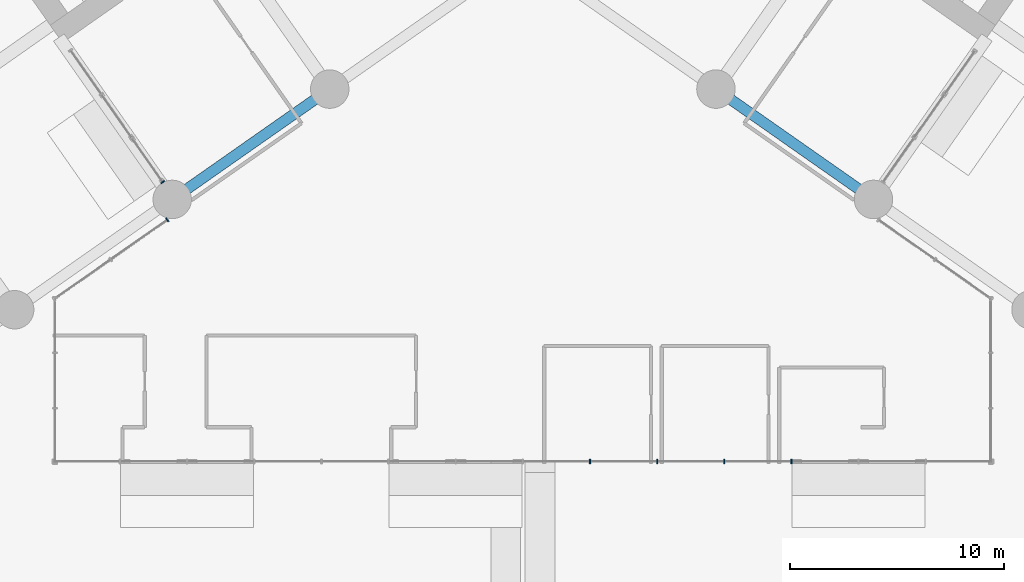
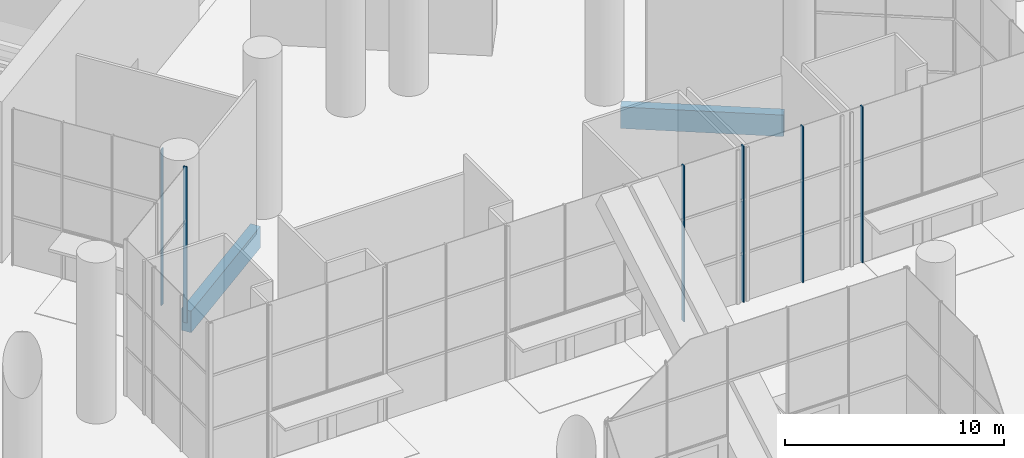
# One storey, part 7 of 37: 6 members, 2 beams, 3 elements without a shape of their own.
"""IFC4 building model written with IfcOpenShell, lengths in metres."""

from ifc_helpers import new_model, si_unit, direction, frame, origin, origin_2d, place, context, subcontext, project, spatial, rectangle, extrude, material, material_profile, profile_set, type_object, element, aggregate, save


model = new_model("IFC4")

# Units and contexts
model_context = context("Model", 3, precision=1e-05, world=origin(), true_north=direction((0.0, 1.0)))
body_context = subcontext(model_context, "Body", "Model", "MODEL_VIEW")
ifc_project = project(units=[si_unit("LENGTHUNIT", "METRE"), si_unit("AREAUNIT", "SQUARE_METRE"), si_unit("VOLUMEUNIT", "CUBIC_METRE"), si_unit("PLANEANGLEUNIT", "RADIAN"), si_unit("MASSUNIT", "GRAM", prefix="KILO")], contexts=[model_context])

# Site, building, storey
site_placement = place(None, origin())
site = spatial("IfcSite", under=ifc_project, at=site_placement, CompositionType="ELEMENT")
building_placement = place(site_placement, origin())
building = spatial("IfcBuilding", under=site, at=building_placement, Name="Tel Ilan Convention Tower", CompositionType="ELEMENT")
storey_placement = place(building_placement, origin())
storey = spatial("IfcBuildingStorey", under=building, at=storey_placement, Name="L00", CompositionType="ELEMENT", Elevation=0.0)

# Beams
ifc_material_1 = material(Name="Concrete C40/50", Category="concrete")
ifc_material_profile_1 = material_profile(ifc_material_1, rectangle(XDim=0.5, YDim=1.199951171875, at=origin_2d()), Name="RC 500x1200")
ifc_profile_set_1 = profile_set([ifc_material_profile_1], Name="Concrete C40/50")
beam_type = type_object("IfcBeamType", Name="Beam RC 500x1200 Concrete C40/50", PredefinedType="BEAM", material=ifc_profile_set_1)
for number, where, z_axis, x_axis, name in (
    (1, (-9.652099609375, -18.905029296875, -1.050048828125), (-0.81915238829, -0.573575945067, 0.0), (0.573575945067, -0.81915238829, 0.0), "L00 beam W-W-F2-W-F3"),
    (2, (9.652099609375, -18.905029296875, -1.050048828125), (0.81915238829, -0.573575945067, 0.0), (0.573575945067, 0.81915238829, 0.0), "L00 beam E-E-F2-E-F3"),
):
    element("IfcBeam", number, at=place(storey_placement, frame(where, z_axis=z_axis, x_axis=x_axis)), inside=storey, type_object=beam_type, Name=name, PredefinedType="BEAM", context=body_context, shape_type="SweptSolid", body=[
        extrude(rectangle(XDim=0.5, YDim=1.199951171875, at=origin_2d()), origin(), (0.0, 0.0, 1.0), 7.5),
    ])

# Curtain wall, member
ifc_material_2 = material(Name="Aluminium, bronze anodised", Category="aluminium")
curtain_wall_type = type_object("IfcCurtainWallType", Name="CW6 LOBBY PAVILION CURTAIN WALL, CLEAR GLASS", PredefinedType="NOTDEFINED", material=ifc_material_2)
curtain_wall_1_placement = place(storey_placement, origin())
curtain_wall_1 = element("IfcCurtainWall", 3, at=curtain_wall_1_placement, inside=storey, type_object=curtain_wall_type, Name="Curtain wall CW6-03.02", PredefinedType="NOTDEFINED")
ifc_material_3 = material(Name="Aluminium, bronze anodised", Category="aluminium")
ifc_material_profile_2 = material_profile(ifc_material_3, rectangle(XDim=0.06005859375, YDim=0.199951171875, at=origin_2d()), Name="CW MULLION 60x200")
ifc_profile_set_2 = profile_set([ifc_material_profile_2], Name="Aluminium, bronze anodised")
member_type = type_object("IfcMemberType", Name="CW MULLION 60x200", PredefinedType="MULLION", material=ifc_profile_set_2)
member_1_placement = place(storey_placement, frame((-16.640380859375, -24.592041015625, 0.0), z_axis=(0.0, 0.0, 1.0), x_axis=(0.819152044289, 0.573576436351, 0.0)))
member_1 = element("IfcMember", 4, at=member_1_placement, type_object=member_type, Name="Mullion", PredefinedType="MULLION", context=body_context, shape_type="SweptSolid", body=[
    extrude(rectangle(XDim=0.06005859375, YDim=0.199951171875, at=origin_2d()), origin(), (0.0, 0.0, 1.0), 8.719970703125),
])
aggregate(curtain_wall_1, [member_1])

# Curtain wall, members
curtain_wall_2_placement = place(storey_placement, origin())
curtain_wall_2 = element("IfcCurtainWall", 5, at=curtain_wall_2_placement, inside=storey, type_object=curtain_wall_type, Name="Curtain wall CW6-03.05", PredefinedType="NOTDEFINED")
member_2_placement = place(storey_placement, frame((12.571533203125, -35.89990234375, 0.0), z_axis=(0.0, 0.0, 1.0), x_axis=(-1.0, 0.0, 0.0)))
member_2 = element("IfcMember", 6, at=member_2_placement, type_object=member_type, Name="Mullion", PredefinedType="MULLION", context=body_context, shape_type="SweptSolid", body=[
    extrude(rectangle(XDim=0.06005859375, YDim=0.199951171875, at=origin_2d()), origin(), (0.0, 0.0, 1.0), 8.719970703125),
])
member_3_placement = place(storey_placement, frame((9.428466796875, -35.89990234375, 0.0), z_axis=(0.0, 0.0, 1.0), x_axis=(-1.0, 0.0, 0.0)))
member_3 = element("IfcMember", 7, at=member_3_placement, type_object=member_type, Name="Mullion", PredefinedType="MULLION", context=body_context, shape_type="SweptSolid", body=[
    extrude(rectangle(XDim=0.06005859375, YDim=0.199951171875, at=origin_2d()), origin(), (0.0, 0.0, 1.0), 8.719970703125),
])
member_4_placement = place(storey_placement, frame((6.28564453125, -35.89990234375, 0.0), z_axis=(0.0, 0.0, 1.0), x_axis=(-1.0, 0.0, 0.0)))
member_4 = element("IfcMember", 8, at=member_4_placement, type_object=member_type, Name="Mullion", PredefinedType="MULLION", context=body_context, shape_type="SweptSolid", body=[
    extrude(rectangle(XDim=0.06005859375, YDim=0.199951171875, at=origin_2d()), origin(), (0.0, 0.0, 1.0), 8.719970703125),
])
member_5_placement = place(storey_placement, frame((3.142822265625, -35.89990234375, 0.0), z_axis=(0.0, 0.0, 1.0), x_axis=(-1.0, 0.0, 0.0)))
member_5 = element("IfcMember", 9, at=member_5_placement, type_object=member_type, Name="Mullion", PredefinedType="MULLION", context=body_context, shape_type="SweptSolid", body=[
    extrude(rectangle(XDim=0.06005859375, YDim=0.199951171875, at=origin_2d()), origin(), (0.0, 0.0, 1.0), 8.719970703125),
])
aggregate(curtain_wall_2, [member_2, member_3, member_4, member_5])

# Curtain wall, member
curtain_wall_3_placement = place(storey_placement, origin())
curtain_wall_3 = element("IfcCurtainWall", 10, at=curtain_wall_3_placement, inside=storey, type_object=curtain_wall_type, Name="Curtain wall CW6-03.06", PredefinedType="NOTDEFINED")
member_6_placement = place(storey_placement, frame((-16.85546875, -22.82666015625, 0.0), z_axis=(0.0, 0.0, 1.0), x_axis=(-0.573576436351, 0.819152044289, 0.0)))
member_6 = element("IfcMember", 11, at=member_6_placement, type_object=member_type, Name="Mullion", PredefinedType="MULLION", context=body_context, shape_type="SweptSolid", body=[
    extrude(rectangle(XDim=0.06005859375, YDim=0.199951171875, at=origin_2d()), origin(), (0.0, 0.0, 1.0), 8.719970703125),
])
aggregate(curtain_wall_3, [member_6])

save(model, "model.ifc")
